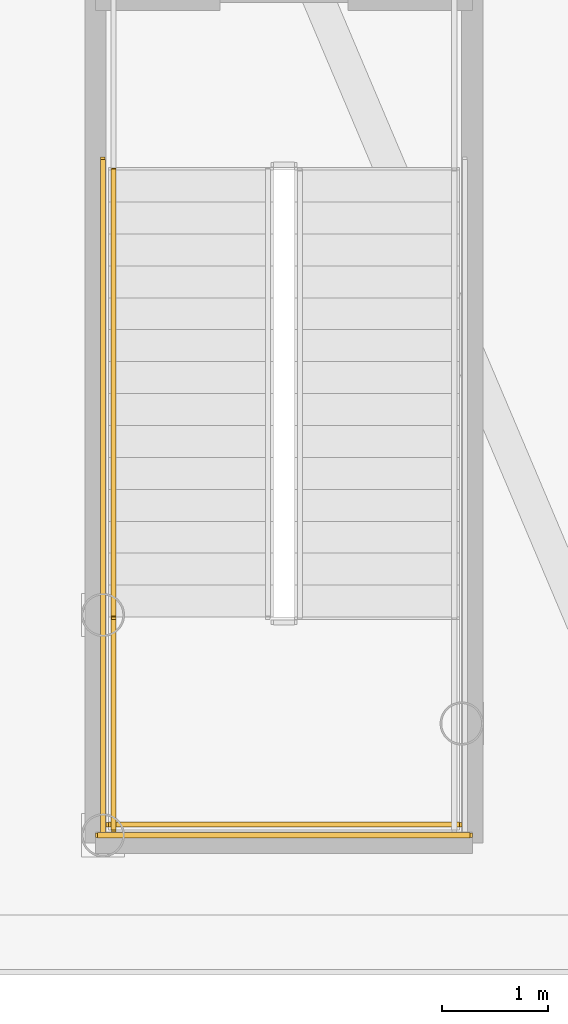
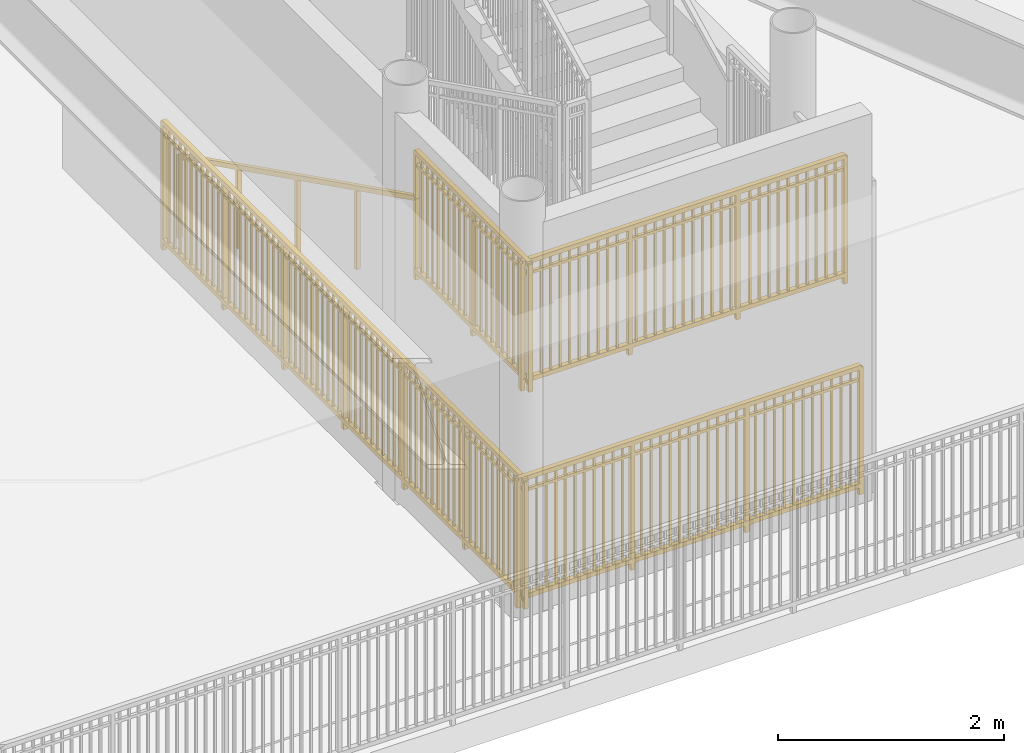
# One storey, part 13 of 21: 5 railings.
"""IFC4 building model written with IfcOpenShell, lengths in metres."""

from ifc_helpers import new_model, si_unit, direction, frame, origin, origin_2d, place, context, subcontext, project, spatial, rectangle, extrude, source, transform, mapped, material, type_object, element, save


model = new_model("IFC4")

# Units and contexts
model_context = context("Model", 3, precision=1e-05, world=origin(), true_north=direction((0.0, 1.0)))
body_context = subcontext(model_context, "Body", "Model", "MODEL_VIEW")
ifc_project = project(units=[si_unit("LENGTHUNIT", "METRE"), si_unit("AREAUNIT", "SQUARE_METRE"), si_unit("VOLUMEUNIT", "CUBIC_METRE"), si_unit("PLANEANGLEUNIT", "RADIAN"), si_unit("MASSUNIT", "GRAM", prefix="KILO")], contexts=[model_context])

# Site, building, storey
site_placement = place(None, origin())
site = spatial("IfcSite", under=ifc_project, at=site_placement, CompositionType="ELEMENT")
building_placement = place(site_placement, origin())
building = spatial("IfcBuilding", under=site, at=building_placement, Name="Linh Dai School and Residence Tower", CompositionType="ELEMENT")
storey_placement = place(building_placement, frame((0.0, 0.0, -4.5)))
storey = spatial("IfcBuildingStorey", under=building, at=storey_placement, Name="B01", CompositionType="ELEMENT", Elevation=-4.5)

# Railings
ifc_material_1 = material(Name="Brushed Stainless Steel Handrail", Category="steel")
railing_type_1 = type_object("IfcRailingType", Name="RL-ST-HANDRAIL-900", PredefinedType="HANDRAIL", material=ifc_material_1)
shared_shape_1 = source(origin(), body_context, "Body", "SweptSolid", [
    extrude(rectangle(XDim=0.048095703125, YDim=0.048095703125, at=origin_2d()), frame((0.0, 0.0, 0.8759765625), z_axis=(0.0, -0.894416792377, 0.447234392142), x_axis=(1.0, 0.0, 0.0)), (0.0, 0.0, 1.0), 4.69580078125),
    extrude(rectangle(XDim=0.0419921875, YDim=0.0419921875, at=origin_2d()), origin(), (0.0, 0.0, 1.0), 0.8759765625),
    extrude(rectangle(XDim=0.0419921875, YDim=0.0419921875, at=origin_2d()), frame((0.0, -1.050048828125, 0.52490234375)), (0.0, 0.0, 1.0), 0.8759765625),
    extrude(rectangle(XDim=0.0419921875, YDim=0.0419921875, at=origin_2d()), frame((0.0, -2.10009765625, 1.050048828125)), (0.0, 0.0, 1.0), 0.8759765625),
    extrude(rectangle(XDim=0.0419921875, YDim=0.0419921875, at=origin_2d()), frame((0.0, -3.14990234375, 1.5751953125)), (0.0, 0.0, 1.0), 0.8759765625),
    extrude(rectangle(XDim=0.0419921875, YDim=0.0419921875, at=origin_2d()), frame((0.0, -4.199951171875, 2.10009765625)), (0.0, 0.0, 1.0), 0.8759765625),
])
railing_1_placement = place(storey_placement, frame((38.050048828125, 16.0, 0.14990234375)))
element("IfcRailing", 1, at=railing_1_placement, inside=storey, type_object=railing_type_1, Name="B01 STB1 stair handrail 1", PredefinedType="HANDRAIL", context=body_context, shape_type="MappedRepresentation", body=[
    mapped(shared_shape_1, transform((0.0, 0.0, 0.0), x_axis=(1.0, 0.0, 0.0), y_axis=(0.0, 1.0, 0.0), z_axis=(0.0, 0.0, 1.0), scale=1.0)),
])
ifc_material_2 = material(Name="Structural Steel S355JR", Category="steel")
railing_type_2 = type_object("IfcRailingType", Name="RL-ST-GUARD-1400", PredefinedType="GUARDRAIL", material=ifc_material_2)
shared_shape_2 = source(origin(), body_context, "Body", "SweptSolid", [
    extrude(rectangle(XDim=0.048095703125, YDim=0.048095703125, at=origin_2d()), frame((0.0, 0.0, 1.3759765625), z_axis=(1.0, 0.0, 0.0), x_axis=(0.0, 1.0, 0.0)), (0.0, 0.0, 1.0), 3.300048828125),
    extrude(rectangle(XDim=0.048095703125, YDim=0.048095703125, at=origin_2d()), frame((0.0, 0.0, 0.10009765625), z_axis=(1.0, 0.0, 0.0), x_axis=(0.0, 1.0, 0.0)), (0.0, 0.0, 1.0), 3.300048828125),
    extrude(rectangle(XDim=0.030029296875, YDim=0.030029296875, at=origin_2d()), frame((0.0, 0.0, 1.239990234375), z_axis=(1.0, 0.0, 0.0), x_axis=(0.0, 1.0, 0.0)), (0.0, 0.0, 1.0), 3.300048828125),
    extrude(rectangle(XDim=0.02001953125, YDim=0.02001953125, at=origin_2d()), frame((0.09716796875, 0.0, 0.10009765625)), (0.0, 0.0, 1.0), 1.251708984375),
    extrude(rectangle(XDim=0.02001953125, YDim=0.02001953125, at=origin_2d()), frame((0.194091796875, 0.0, 0.10009765625)), (0.0, 0.0, 1.0), 1.251708984375),
    extrude(rectangle(XDim=0.02001953125, YDim=0.02001953125, at=origin_2d()), frame((0.291259765625, 0.0, 0.10009765625)), (0.0, 0.0, 1.0), 1.251708984375),
    extrude(rectangle(XDim=0.02001953125, YDim=0.02001953125, at=origin_2d()), frame((0.38818359375, 0.0, 0.10009765625)), (0.0, 0.0, 1.0), 1.251708984375),
    extrude(rectangle(XDim=0.02001953125, YDim=0.02001953125, at=origin_2d()), frame((0.4853515625, 0.0, 0.10009765625)), (0.0, 0.0, 1.0), 1.251708984375),
    extrude(rectangle(XDim=0.02001953125, YDim=0.02001953125, at=origin_2d()), frame((0.582275390625, 0.0, 0.10009765625)), (0.0, 0.0, 1.0), 1.251708984375),
    extrude(rectangle(XDim=0.02001953125, YDim=0.02001953125, at=origin_2d()), frame((0.679443359375, 0.0, 0.10009765625)), (0.0, 0.0, 1.0), 1.251708984375),
    extrude(rectangle(XDim=0.02001953125, YDim=0.02001953125, at=origin_2d()), frame((0.7763671875, 0.0, 0.10009765625)), (0.0, 0.0, 1.0), 1.251708984375),
    extrude(rectangle(XDim=0.02001953125, YDim=0.02001953125, at=origin_2d()), frame((0.87353515625, 0.0, 0.10009765625)), (0.0, 0.0, 1.0), 1.251708984375),
    extrude(rectangle(XDim=0.02001953125, YDim=0.02001953125, at=origin_2d()), frame((0.970703125, 0.0, 0.10009765625)), (0.0, 0.0, 1.0), 1.251708984375),
    extrude(rectangle(XDim=0.02001953125, YDim=0.02001953125, at=origin_2d()), frame((1.164794921875, 0.0, 0.10009765625)), (0.0, 0.0, 1.0), 1.251708984375),
    extrude(rectangle(XDim=0.02001953125, YDim=0.02001953125, at=origin_2d()), frame((1.26171875, 0.0, 0.10009765625)), (0.0, 0.0, 1.0), 1.251708984375),
    extrude(rectangle(XDim=0.02001953125, YDim=0.02001953125, at=origin_2d()), frame((1.35888671875, 0.0, 0.10009765625)), (0.0, 0.0, 1.0), 1.251708984375),
    extrude(rectangle(XDim=0.02001953125, YDim=0.02001953125, at=origin_2d()), frame((1.455810546875, 0.0, 0.10009765625)), (0.0, 0.0, 1.0), 1.251708984375),
    extrude(rectangle(XDim=0.02001953125, YDim=0.02001953125, at=origin_2d()), frame((1.552978515625, 0.0, 0.10009765625)), (0.0, 0.0, 1.0), 1.251708984375),
    extrude(rectangle(XDim=0.02001953125, YDim=0.02001953125, at=origin_2d()), frame((1.64990234375, 0.0, 0.10009765625)), (0.0, 0.0, 1.0), 1.251708984375),
    extrude(rectangle(XDim=0.02001953125, YDim=0.02001953125, at=origin_2d()), frame((1.7470703125, 0.0, 0.10009765625)), (0.0, 0.0, 1.0), 1.251708984375),
    extrude(rectangle(XDim=0.02001953125, YDim=0.02001953125, at=origin_2d()), frame((1.84423828125, 0.0, 0.10009765625)), (0.0, 0.0, 1.0), 1.251708984375),
    extrude(rectangle(XDim=0.02001953125, YDim=0.02001953125, at=origin_2d()), frame((1.941162109375, 0.0, 0.10009765625)), (0.0, 0.0, 1.0), 1.251708984375),
    extrude(rectangle(XDim=0.02001953125, YDim=0.02001953125, at=origin_2d()), frame((2.038330078125, 0.0, 0.10009765625)), (0.0, 0.0, 1.0), 1.251708984375),
    extrude(rectangle(XDim=0.02001953125, YDim=0.02001953125, at=origin_2d()), frame((2.13525390625, 0.0, 0.10009765625)), (0.0, 0.0, 1.0), 1.251708984375),
    extrude(rectangle(XDim=0.02001953125, YDim=0.02001953125, at=origin_2d()), frame((2.329345703125, 0.0, 0.10009765625)), (0.0, 0.0, 1.0), 1.251708984375),
    extrude(rectangle(XDim=0.02001953125, YDim=0.02001953125, at=origin_2d()), frame((2.426513671875, 0.0, 0.10009765625)), (0.0, 0.0, 1.0), 1.251708984375),
    extrude(rectangle(XDim=0.02001953125, YDim=0.02001953125, at=origin_2d()), frame((2.523681640625, 0.0, 0.10009765625)), (0.0, 0.0, 1.0), 1.251708984375),
    extrude(rectangle(XDim=0.02001953125, YDim=0.02001953125, at=origin_2d()), frame((2.62060546875, 0.0, 0.10009765625)), (0.0, 0.0, 1.0), 1.251708984375),
    extrude(rectangle(XDim=0.02001953125, YDim=0.02001953125, at=origin_2d()), frame((2.7177734375, 0.0, 0.10009765625)), (0.0, 0.0, 1.0), 1.251708984375),
    extrude(rectangle(XDim=0.02001953125, YDim=0.02001953125, at=origin_2d()), frame((2.814697265625, 0.0, 0.10009765625)), (0.0, 0.0, 1.0), 1.251708984375),
    extrude(rectangle(XDim=0.02001953125, YDim=0.02001953125, at=origin_2d()), frame((2.911865234375, 0.0, 0.10009765625)), (0.0, 0.0, 1.0), 1.251708984375),
    extrude(rectangle(XDim=0.02001953125, YDim=0.02001953125, at=origin_2d()), frame((3.0087890625, 0.0, 0.10009765625)), (0.0, 0.0, 1.0), 1.251708984375),
    extrude(rectangle(XDim=0.02001953125, YDim=0.02001953125, at=origin_2d()), frame((3.10595703125, 0.0, 0.10009765625)), (0.0, 0.0, 1.0), 1.251708984375),
    extrude(rectangle(XDim=0.02001953125, YDim=0.02001953125, at=origin_2d()), frame((3.202880859375, 0.0, 0.10009765625)), (0.0, 0.0, 1.0), 1.251708984375),
    extrude(rectangle(XDim=0.0419921875, YDim=0.0419921875, at=origin_2d()), origin(), (0.0, 0.0, 1.0), 1.3759765625),
    extrude(rectangle(XDim=0.0419921875, YDim=0.0419921875, at=origin_2d()), frame((1.10009765625, 0.0, 0.0)), (0.0, 0.0, 1.0), 1.3759765625),
    extrude(rectangle(XDim=0.0419921875, YDim=0.0419921875, at=origin_2d()), frame((2.199951171875, 0.0, 0.0)), (0.0, 0.0, 1.0), 1.3759765625),
    extrude(rectangle(XDim=0.0419921875, YDim=0.0419921875, at=origin_2d()), frame((3.300048828125, 0.0, 0.0)), (0.0, 0.0, 1.0), 1.3759765625),
])
railing_2_placement = place(storey_placement, frame((38.0, 9.85009765625, 2.25)))
element("IfcRailing", 2, at=railing_2_placement, inside=storey, type_object=railing_type_2, Name="B01 STB1 stair guard 5", PredefinedType="GUARDRAIL", context=body_context, shape_type="MappedRepresentation", body=[
    mapped(shared_shape_2, transform((0.0, 0.0, 0.0), x_axis=(1.0, 0.0, 0.0), y_axis=(0.0, 1.0, 0.0), z_axis=(0.0, 0.0, 1.0), scale=1.0)),
])
shared_shape_3 = source(origin(), body_context, "Body", "SweptSolid", [
    extrude(rectangle(XDim=0.048095703125, YDim=0.048095703125, at=origin_2d()), frame((0.0, 0.0, 1.3759765625), z_axis=(1.0, 0.0, 0.0), x_axis=(0.0, 1.0, 0.0)), (0.0, 0.0, 1.0), 3.5),
    extrude(rectangle(XDim=0.048095703125, YDim=0.048095703125, at=origin_2d()), frame((0.0, 0.0, 0.10009765625), z_axis=(1.0, 0.0, 0.0), x_axis=(0.0, 1.0, 0.0)), (0.0, 0.0, 1.0), 3.5),
    extrude(rectangle(XDim=0.030029296875, YDim=0.030029296875, at=origin_2d()), frame((0.0, 0.0, 1.239990234375), z_axis=(1.0, 0.0, 0.0), x_axis=(0.0, 1.0, 0.0)), (0.0, 0.0, 1.0), 3.5),
    extrude(rectangle(XDim=0.02001953125, YDim=0.02001953125, at=origin_2d()), frame((0.09716796875, 0.0, 0.10009765625)), (0.0, 0.0, 1.0), 1.251708984375),
    extrude(rectangle(XDim=0.02001953125, YDim=0.02001953125, at=origin_2d()), frame((0.1943359375, 0.0, 0.10009765625)), (0.0, 0.0, 1.0), 1.251708984375),
    extrude(rectangle(XDim=0.02001953125, YDim=0.02001953125, at=origin_2d()), frame((0.291748046875, 0.0, 0.10009765625)), (0.0, 0.0, 1.0), 1.251708984375),
    extrude(rectangle(XDim=0.02001953125, YDim=0.02001953125, at=origin_2d()), frame((0.388916015625, 0.0, 0.10009765625)), (0.0, 0.0, 1.0), 1.251708984375),
    extrude(rectangle(XDim=0.02001953125, YDim=0.02001953125, at=origin_2d()), frame((0.486083984375, 0.0, 0.10009765625)), (0.0, 0.0, 1.0), 1.251708984375),
    extrude(rectangle(XDim=0.02001953125, YDim=0.02001953125, at=origin_2d()), frame((0.583251953125, 0.0, 0.10009765625)), (0.0, 0.0, 1.0), 1.251708984375),
    extrude(rectangle(XDim=0.02001953125, YDim=0.02001953125, at=origin_2d()), frame((0.6806640625, 0.0, 0.10009765625)), (0.0, 0.0, 1.0), 1.251708984375),
    extrude(rectangle(XDim=0.02001953125, YDim=0.02001953125, at=origin_2d()), frame((0.77783203125, 0.0, 0.10009765625)), (0.0, 0.0, 1.0), 1.251708984375),
    extrude(rectangle(XDim=0.02001953125, YDim=0.02001953125, at=origin_2d()), frame((0.875, 0.0, 0.10009765625)), (0.0, 0.0, 1.0), 1.251708984375),
    extrude(rectangle(XDim=0.02001953125, YDim=0.02001953125, at=origin_2d()), frame((0.97216796875, 0.0, 0.10009765625)), (0.0, 0.0, 1.0), 1.251708984375),
    extrude(rectangle(XDim=0.02001953125, YDim=0.02001953125, at=origin_2d()), frame((1.0693359375, 0.0, 0.10009765625)), (0.0, 0.0, 1.0), 1.251708984375),
    extrude(rectangle(XDim=0.02001953125, YDim=0.02001953125, at=origin_2d()), frame((1.263916015625, 0.0, 0.10009765625)), (0.0, 0.0, 1.0), 1.251708984375),
    extrude(rectangle(XDim=0.02001953125, YDim=0.02001953125, at=origin_2d()), frame((1.361083984375, 0.0, 0.10009765625)), (0.0, 0.0, 1.0), 1.251708984375),
    extrude(rectangle(XDim=0.02001953125, YDim=0.02001953125, at=origin_2d()), frame((1.458251953125, 0.0, 0.10009765625)), (0.0, 0.0, 1.0), 1.251708984375),
    extrude(rectangle(XDim=0.02001953125, YDim=0.02001953125, at=origin_2d()), frame((1.5556640625, 0.0, 0.10009765625)), (0.0, 0.0, 1.0), 1.251708984375),
    extrude(rectangle(XDim=0.02001953125, YDim=0.02001953125, at=origin_2d()), frame((1.65283203125, 0.0, 0.10009765625)), (0.0, 0.0, 1.0), 1.251708984375),
    extrude(rectangle(XDim=0.02001953125, YDim=0.02001953125, at=origin_2d()), frame((1.75, 0.0, 0.10009765625)), (0.0, 0.0, 1.0), 1.251708984375),
    extrude(rectangle(XDim=0.02001953125, YDim=0.02001953125, at=origin_2d()), frame((1.84716796875, 0.0, 0.10009765625)), (0.0, 0.0, 1.0), 1.251708984375),
    extrude(rectangle(XDim=0.02001953125, YDim=0.02001953125, at=origin_2d()), frame((1.9443359375, 0.0, 0.10009765625)), (0.0, 0.0, 1.0), 1.251708984375),
    extrude(rectangle(XDim=0.02001953125, YDim=0.02001953125, at=origin_2d()), frame((2.041748046875, 0.0, 0.10009765625)), (0.0, 0.0, 1.0), 1.251708984375),
    extrude(rectangle(XDim=0.02001953125, YDim=0.02001953125, at=origin_2d()), frame((2.138916015625, 0.0, 0.10009765625)), (0.0, 0.0, 1.0), 1.251708984375),
    extrude(rectangle(XDim=0.02001953125, YDim=0.02001953125, at=origin_2d()), frame((2.236083984375, 0.0, 0.10009765625)), (0.0, 0.0, 1.0), 1.251708984375),
    extrude(rectangle(XDim=0.02001953125, YDim=0.02001953125, at=origin_2d()), frame((2.4306640625, 0.0, 0.10009765625)), (0.0, 0.0, 1.0), 1.251708984375),
    extrude(rectangle(XDim=0.02001953125, YDim=0.02001953125, at=origin_2d()), frame((2.52783203125, 0.0, 0.10009765625)), (0.0, 0.0, 1.0), 1.251708984375),
    extrude(rectangle(XDim=0.02001953125, YDim=0.02001953125, at=origin_2d()), frame((2.625, 0.0, 0.10009765625)), (0.0, 0.0, 1.0), 1.251708984375),
    extrude(rectangle(XDim=0.02001953125, YDim=0.02001953125, at=origin_2d()), frame((2.72216796875, 0.0, 0.10009765625)), (0.0, 0.0, 1.0), 1.251708984375),
    extrude(rectangle(XDim=0.02001953125, YDim=0.02001953125, at=origin_2d()), frame((2.8193359375, 0.0, 0.10009765625)), (0.0, 0.0, 1.0), 1.251708984375),
    extrude(rectangle(XDim=0.02001953125, YDim=0.02001953125, at=origin_2d()), frame((2.916748046875, 0.0, 0.10009765625)), (0.0, 0.0, 1.0), 1.251708984375),
    extrude(rectangle(XDim=0.02001953125, YDim=0.02001953125, at=origin_2d()), frame((3.013916015625, 0.0, 0.10009765625)), (0.0, 0.0, 1.0), 1.251708984375),
    extrude(rectangle(XDim=0.02001953125, YDim=0.02001953125, at=origin_2d()), frame((3.111083984375, 0.0, 0.10009765625)), (0.0, 0.0, 1.0), 1.251708984375),
    extrude(rectangle(XDim=0.02001953125, YDim=0.02001953125, at=origin_2d()), frame((3.208251953125, 0.0, 0.10009765625)), (0.0, 0.0, 1.0), 1.251708984375),
    extrude(rectangle(XDim=0.02001953125, YDim=0.02001953125, at=origin_2d()), frame((3.3056640625, 0.0, 0.10009765625)), (0.0, 0.0, 1.0), 1.251708984375),
    extrude(rectangle(XDim=0.02001953125, YDim=0.02001953125, at=origin_2d()), frame((3.40283203125, 0.0, 0.10009765625)), (0.0, 0.0, 1.0), 1.251708984375),
    extrude(rectangle(XDim=0.0419921875, YDim=0.0419921875, at=origin_2d()), origin(), (0.0, 0.0, 1.0), 1.3759765625),
    extrude(rectangle(XDim=0.0419921875, YDim=0.0419921875, at=origin_2d()), frame((1.166748046875, 0.0, 0.0)), (0.0, 0.0, 1.0), 1.3759765625),
    extrude(rectangle(XDim=0.0419921875, YDim=0.0419921875, at=origin_2d()), frame((2.333251953125, 0.0, 0.0)), (0.0, 0.0, 1.0), 1.3759765625),
    extrude(rectangle(XDim=0.0419921875, YDim=0.0419921875, at=origin_2d()), frame((3.5, 0.0, 0.0)), (0.0, 0.0, 1.0), 1.3759765625),
])
railing_3_placement = place(storey_placement, frame((37.89990234375, 9.75, 0.0)))
element("IfcRailing", 3, at=railing_3_placement, inside=storey, type_object=railing_type_2, Name="B01 STB1 stair guard 12", PredefinedType="GUARDRAIL", context=body_context, shape_type="MappedRepresentation", body=[
    mapped(shared_shape_3, transform((0.0, 0.0, 0.0), x_axis=(1.0, 0.0, 0.0), y_axis=(0.0, 1.0, 0.0), z_axis=(0.0, 0.0, 1.0), scale=1.0)),
])
shared_shape_4 = source(origin(), body_context, "Body", "SweptSolid", [
    extrude(rectangle(XDim=0.048095703125, YDim=0.048095703125, at=origin_2d()), frame((0.0, 0.0, 1.3759765625), z_axis=(0.0, -1.0, 0.0), x_axis=(1.0, 0.0, 0.0)), (0.0, 0.0, 1.0), 2.0),
    extrude(rectangle(XDim=0.048095703125, YDim=0.048095703125, at=origin_2d()), frame((0.0, 0.0, 0.10009765625), z_axis=(0.0, -1.0, 0.0), x_axis=(1.0, 0.0, 0.0)), (0.0, 0.0, 1.0), 2.0),
    extrude(rectangle(XDim=0.030029296875, YDim=0.030029296875, at=origin_2d()), frame((0.0, 0.0, 1.239990234375), z_axis=(0.0, -1.0, 0.0), x_axis=(1.0, 0.0, 0.0)), (0.0, 0.0, 1.0), 2.0),
    extrude(rectangle(XDim=0.02001953125, YDim=0.02001953125, at=origin_2d()), frame((0.0, -0.09521484375, 0.10009765625)), (0.0, 0.0, 1.0), 1.251708984375),
    extrude(rectangle(XDim=0.02001953125, YDim=0.02001953125, at=origin_2d()), frame((0.0, -0.1904296875, 0.10009765625)), (0.0, 0.0, 1.0), 1.251708984375),
    extrude(rectangle(XDim=0.02001953125, YDim=0.02001953125, at=origin_2d()), frame((0.0, -0.28564453125, 0.10009765625)), (0.0, 0.0, 1.0), 1.251708984375),
    extrude(rectangle(XDim=0.02001953125, YDim=0.02001953125, at=origin_2d()), frame((0.0, -0.380859375, 0.10009765625)), (0.0, 0.0, 1.0), 1.251708984375),
    extrude(rectangle(XDim=0.02001953125, YDim=0.02001953125, at=origin_2d()), frame((0.0, -0.47607421875, 0.10009765625)), (0.0, 0.0, 1.0), 1.251708984375),
    extrude(rectangle(XDim=0.02001953125, YDim=0.02001953125, at=origin_2d()), frame((0.0, -0.571533203125, 0.10009765625)), (0.0, 0.0, 1.0), 1.251708984375),
    extrude(rectangle(XDim=0.02001953125, YDim=0.02001953125, at=origin_2d()), frame((0.0, -0.666748046875, 0.10009765625)), (0.0, 0.0, 1.0), 1.251708984375),
    extrude(rectangle(XDim=0.02001953125, YDim=0.02001953125, at=origin_2d()), frame((0.0, -0.761962890625, 0.10009765625)), (0.0, 0.0, 1.0), 1.251708984375),
    extrude(rectangle(XDim=0.02001953125, YDim=0.02001953125, at=origin_2d()), frame((0.0, -0.857177734375, 0.10009765625)), (0.0, 0.0, 1.0), 1.251708984375),
    extrude(rectangle(XDim=0.02001953125, YDim=0.02001953125, at=origin_2d()), frame((0.0, -0.952392578125, 0.10009765625)), (0.0, 0.0, 1.0), 1.251708984375),
    extrude(rectangle(XDim=0.02001953125, YDim=0.02001953125, at=origin_2d()), frame((0.0, -1.047607421875, 0.10009765625)), (0.0, 0.0, 1.0), 1.251708984375),
    extrude(rectangle(XDim=0.02001953125, YDim=0.02001953125, at=origin_2d()), frame((0.0, -1.142822265625, 0.10009765625)), (0.0, 0.0, 1.0), 1.251708984375),
    extrude(rectangle(XDim=0.02001953125, YDim=0.02001953125, at=origin_2d()), frame((0.0, -1.238037109375, 0.10009765625)), (0.0, 0.0, 1.0), 1.251708984375),
    extrude(rectangle(XDim=0.02001953125, YDim=0.02001953125, at=origin_2d()), frame((0.0, -1.333251953125, 0.10009765625)), (0.0, 0.0, 1.0), 1.251708984375),
    extrude(rectangle(XDim=0.02001953125, YDim=0.02001953125, at=origin_2d()), frame((0.0, -1.428466796875, 0.10009765625)), (0.0, 0.0, 1.0), 1.251708984375),
    extrude(rectangle(XDim=0.02001953125, YDim=0.02001953125, at=origin_2d()), frame((0.0, -1.52392578125, 0.10009765625)), (0.0, 0.0, 1.0), 1.251708984375),
    extrude(rectangle(XDim=0.02001953125, YDim=0.02001953125, at=origin_2d()), frame((0.0, -1.619140625, 0.10009765625)), (0.0, 0.0, 1.0), 1.251708984375),
    extrude(rectangle(XDim=0.02001953125, YDim=0.02001953125, at=origin_2d()), frame((0.0, -1.71435546875, 0.10009765625)), (0.0, 0.0, 1.0), 1.251708984375),
    extrude(rectangle(XDim=0.02001953125, YDim=0.02001953125, at=origin_2d()), frame((0.0, -1.8095703125, 0.10009765625)), (0.0, 0.0, 1.0), 1.251708984375),
    extrude(rectangle(XDim=0.02001953125, YDim=0.02001953125, at=origin_2d()), frame((0.0, -1.90478515625, 0.10009765625)), (0.0, 0.0, 1.0), 1.251708984375),
    extrude(rectangle(XDim=0.0419921875, YDim=0.0419921875, at=origin_2d()), origin(), (0.0, 0.0, 1.0), 1.3759765625),
    extrude(rectangle(XDim=0.0419921875, YDim=0.0419921875, at=origin_2d()), frame((0.0, -1.0, 0.0)), (0.0, 0.0, 1.0), 1.3759765625),
    extrude(rectangle(XDim=0.0419921875, YDim=0.0419921875, at=origin_2d()), frame((0.0, -2.0, 0.0)), (0.0, 0.0, 1.0), 1.3759765625),
])
railing_4_placement = place(storey_placement, frame((38.050048828125, 11.800048828125, 2.25)))
element("IfcRailing", 4, at=railing_4_placement, inside=storey, type_object=railing_type_2, Name="B01 STB1 stair guard 3", PredefinedType="GUARDRAIL", context=body_context, shape_type="MappedRepresentation", body=[
    mapped(shared_shape_4, transform((0.0, 0.0, 0.0), x_axis=(1.0, 0.0, 0.0), y_axis=(0.0, 1.0, 0.0), z_axis=(0.0, 0.0, 1.0), scale=1.0)),
])
shared_shape_5 = source(origin(), body_context, "Body", "SweptSolid", [
    extrude(rectangle(XDim=0.048095703125, YDim=0.048095703125, at=origin_2d()), frame((0.0, 0.0, 1.3759765625), z_axis=(0.0, -1.0, 0.0), x_axis=(1.0, 0.0, 0.0)), (0.0, 0.0, 1.0), 6.400146484375),
    extrude(rectangle(XDim=0.048095703125, YDim=0.048095703125, at=origin_2d()), frame((0.0, 0.0, 0.10009765625), z_axis=(0.0, -1.0, 0.0), x_axis=(1.0, 0.0, 0.0)), (0.0, 0.0, 1.0), 6.400146484375),
    extrude(rectangle(XDim=0.030029296875, YDim=0.030029296875, at=origin_2d()), frame((0.0, 0.0, 1.239990234375), z_axis=(0.0, -1.0, 0.0), x_axis=(1.0, 0.0, 0.0)), (0.0, 0.0, 1.0), 6.400146484375),
    extrude(rectangle(XDim=0.02001953125, YDim=0.02001953125, at=origin_2d()), frame((0.0, -0.096923828125, 0.10009765625)), (0.0, 0.0, 1.0), 1.251708984375),
    extrude(rectangle(XDim=0.02001953125, YDim=0.02001953125, at=origin_2d()), frame((0.0, -0.19384765625, 0.10009765625)), (0.0, 0.0, 1.0), 1.251708984375),
    extrude(rectangle(XDim=0.02001953125, YDim=0.02001953125, at=origin_2d()), frame((0.0, -0.291015625, 0.10009765625)), (0.0, 0.0, 1.0), 1.251708984375),
    extrude(rectangle(XDim=0.02001953125, YDim=0.02001953125, at=origin_2d()), frame((0.0, -0.387939453125, 0.10009765625)), (0.0, 0.0, 1.0), 1.251708984375),
    extrude(rectangle(XDim=0.02001953125, YDim=0.02001953125, at=origin_2d()), frame((0.0, -0.48486328125, 0.10009765625)), (0.0, 0.0, 1.0), 1.251708984375),
    extrude(rectangle(XDim=0.02001953125, YDim=0.02001953125, at=origin_2d()), frame((0.0, -0.581787109375, 0.10009765625)), (0.0, 0.0, 1.0), 1.251708984375),
    extrude(rectangle(XDim=0.02001953125, YDim=0.02001953125, at=origin_2d()), frame((0.0, -0.6787109375, 0.10009765625)), (0.0, 0.0, 1.0), 1.251708984375),
    extrude(rectangle(XDim=0.02001953125, YDim=0.02001953125, at=origin_2d()), frame((0.0, -0.77587890625, 0.10009765625)), (0.0, 0.0, 1.0), 1.251708984375),
    extrude(rectangle(XDim=0.02001953125, YDim=0.02001953125, at=origin_2d()), frame((0.0, -0.872802734375, 0.10009765625)), (0.0, 0.0, 1.0), 1.251708984375),
    extrude(rectangle(XDim=0.02001953125, YDim=0.02001953125, at=origin_2d()), frame((0.0, -0.9697265625, 0.10009765625)), (0.0, 0.0, 1.0), 1.251708984375),
    extrude(rectangle(XDim=0.02001953125, YDim=0.02001953125, at=origin_2d()), frame((0.0, -1.16357421875, 0.10009765625)), (0.0, 0.0, 1.0), 1.251708984375),
    extrude(rectangle(XDim=0.02001953125, YDim=0.02001953125, at=origin_2d()), frame((0.0, -1.2607421875, 0.10009765625)), (0.0, 0.0, 1.0), 1.251708984375),
    extrude(rectangle(XDim=0.02001953125, YDim=0.02001953125, at=origin_2d()), frame((0.0, -1.357666015625, 0.10009765625)), (0.0, 0.0, 1.0), 1.251708984375),
    extrude(rectangle(XDim=0.02001953125, YDim=0.02001953125, at=origin_2d()), frame((0.0, -1.45458984375, 0.10009765625)), (0.0, 0.0, 1.0), 1.251708984375),
    extrude(rectangle(XDim=0.02001953125, YDim=0.02001953125, at=origin_2d()), frame((0.0, -1.551513671875, 0.10009765625)), (0.0, 0.0, 1.0), 1.251708984375),
    extrude(rectangle(XDim=0.02001953125, YDim=0.02001953125, at=origin_2d()), frame((0.0, -1.6484375, 0.10009765625)), (0.0, 0.0, 1.0), 1.251708984375),
    extrude(rectangle(XDim=0.02001953125, YDim=0.02001953125, at=origin_2d()), frame((0.0, -1.74560546875, 0.10009765625)), (0.0, 0.0, 1.0), 1.251708984375),
    extrude(rectangle(XDim=0.02001953125, YDim=0.02001953125, at=origin_2d()), frame((0.0, -1.842529296875, 0.10009765625)), (0.0, 0.0, 1.0), 1.251708984375),
    extrude(rectangle(XDim=0.02001953125, YDim=0.02001953125, at=origin_2d()), frame((0.0, -1.939453125, 0.10009765625)), (0.0, 0.0, 1.0), 1.251708984375),
    extrude(rectangle(XDim=0.02001953125, YDim=0.02001953125, at=origin_2d()), frame((0.0, -2.036376953125, 0.10009765625)), (0.0, 0.0, 1.0), 1.251708984375),
    extrude(rectangle(XDim=0.02001953125, YDim=0.02001953125, at=origin_2d()), frame((0.0, -2.23046875, 0.10009765625)), (0.0, 0.0, 1.0), 1.251708984375),
    extrude(rectangle(XDim=0.02001953125, YDim=0.02001953125, at=origin_2d()), frame((0.0, -2.327392578125, 0.10009765625)), (0.0, 0.0, 1.0), 1.251708984375),
    extrude(rectangle(XDim=0.02001953125, YDim=0.02001953125, at=origin_2d()), frame((0.0, -2.42431640625, 0.10009765625)), (0.0, 0.0, 1.0), 1.251708984375),
    extrude(rectangle(XDim=0.02001953125, YDim=0.02001953125, at=origin_2d()), frame((0.0, -2.521240234375, 0.10009765625)), (0.0, 0.0, 1.0), 1.251708984375),
    extrude(rectangle(XDim=0.02001953125, YDim=0.02001953125, at=origin_2d()), frame((0.0, -2.6181640625, 0.10009765625)), (0.0, 0.0, 1.0), 1.251708984375),
    extrude(rectangle(XDim=0.02001953125, YDim=0.02001953125, at=origin_2d()), frame((0.0, -2.71533203125, 0.10009765625)), (0.0, 0.0, 1.0), 1.251708984375),
    extrude(rectangle(XDim=0.02001953125, YDim=0.02001953125, at=origin_2d()), frame((0.0, -2.812255859375, 0.10009765625)), (0.0, 0.0, 1.0), 1.251708984375),
    extrude(rectangle(XDim=0.02001953125, YDim=0.02001953125, at=origin_2d()), frame((0.0, -2.9091796875, 0.10009765625)), (0.0, 0.0, 1.0), 1.251708984375),
    extrude(rectangle(XDim=0.02001953125, YDim=0.02001953125, at=origin_2d()), frame((0.0, -3.006103515625, 0.10009765625)), (0.0, 0.0, 1.0), 1.251708984375),
    extrude(rectangle(XDim=0.02001953125, YDim=0.02001953125, at=origin_2d()), frame((0.0, -3.10302734375, 0.10009765625)), (0.0, 0.0, 1.0), 1.251708984375),
    extrude(rectangle(XDim=0.02001953125, YDim=0.02001953125, at=origin_2d()), frame((0.0, -3.297119140625, 0.10009765625)), (0.0, 0.0, 1.0), 1.251708984375),
    extrude(rectangle(XDim=0.02001953125, YDim=0.02001953125, at=origin_2d()), frame((0.0, -3.39404296875, 0.10009765625)), (0.0, 0.0, 1.0), 1.251708984375),
    extrude(rectangle(XDim=0.02001953125, YDim=0.02001953125, at=origin_2d()), frame((0.0, -3.490966796875, 0.10009765625)), (0.0, 0.0, 1.0), 1.251708984375),
    extrude(rectangle(XDim=0.02001953125, YDim=0.02001953125, at=origin_2d()), frame((0.0, -3.587890625, 0.10009765625)), (0.0, 0.0, 1.0), 1.251708984375),
    extrude(rectangle(XDim=0.02001953125, YDim=0.02001953125, at=origin_2d()), frame((0.0, -3.684814453125, 0.10009765625)), (0.0, 0.0, 1.0), 1.251708984375),
    extrude(rectangle(XDim=0.02001953125, YDim=0.02001953125, at=origin_2d()), frame((0.0, -3.781982421875, 0.10009765625)), (0.0, 0.0, 1.0), 1.251708984375),
    extrude(rectangle(XDim=0.02001953125, YDim=0.02001953125, at=origin_2d()), frame((0.0, -3.87890625, 0.10009765625)), (0.0, 0.0, 1.0), 1.251708984375),
    extrude(rectangle(XDim=0.02001953125, YDim=0.02001953125, at=origin_2d()), frame((0.0, -3.975830078125, 0.10009765625)), (0.0, 0.0, 1.0), 1.251708984375),
    extrude(rectangle(XDim=0.02001953125, YDim=0.02001953125, at=origin_2d()), frame((0.0, -4.07275390625, 0.10009765625)), (0.0, 0.0, 1.0), 1.251708984375),
    extrude(rectangle(XDim=0.02001953125, YDim=0.02001953125, at=origin_2d()), frame((0.0, -4.169677734375, 0.10009765625)), (0.0, 0.0, 1.0), 1.251708984375),
    extrude(rectangle(XDim=0.02001953125, YDim=0.02001953125, at=origin_2d()), frame((0.0, -4.36376953125, 0.10009765625)), (0.0, 0.0, 1.0), 1.251708984375),
    extrude(rectangle(XDim=0.02001953125, YDim=0.02001953125, at=origin_2d()), frame((0.0, -4.460693359375, 0.10009765625)), (0.0, 0.0, 1.0), 1.251708984375),
    extrude(rectangle(XDim=0.02001953125, YDim=0.02001953125, at=origin_2d()), frame((0.0, -4.5576171875, 0.10009765625)), (0.0, 0.0, 1.0), 1.251708984375),
    extrude(rectangle(XDim=0.02001953125, YDim=0.02001953125, at=origin_2d()), frame((0.0, -4.654541015625, 0.10009765625)), (0.0, 0.0, 1.0), 1.251708984375),
    extrude(rectangle(XDim=0.02001953125, YDim=0.02001953125, at=origin_2d()), frame((0.0, -4.751708984375, 0.10009765625)), (0.0, 0.0, 1.0), 1.251708984375),
    extrude(rectangle(XDim=0.02001953125, YDim=0.02001953125, at=origin_2d()), frame((0.0, -4.8486328125, 0.10009765625)), (0.0, 0.0, 1.0), 1.251708984375),
    extrude(rectangle(XDim=0.02001953125, YDim=0.02001953125, at=origin_2d()), frame((0.0, -4.945556640625, 0.10009765625)), (0.0, 0.0, 1.0), 1.251708984375),
    extrude(rectangle(XDim=0.02001953125, YDim=0.02001953125, at=origin_2d()), frame((0.0, -5.04248046875, 0.10009765625)), (0.0, 0.0, 1.0), 1.251708984375),
    extrude(rectangle(XDim=0.02001953125, YDim=0.02001953125, at=origin_2d()), frame((0.0, -5.139404296875, 0.10009765625)), (0.0, 0.0, 1.0), 1.251708984375),
    extrude(rectangle(XDim=0.02001953125, YDim=0.02001953125, at=origin_2d()), frame((0.0, -5.236572265625, 0.10009765625)), (0.0, 0.0, 1.0), 1.251708984375),
    extrude(rectangle(XDim=0.02001953125, YDim=0.02001953125, at=origin_2d()), frame((0.0, -5.430419921875, 0.10009765625)), (0.0, 0.0, 1.0), 1.251708984375),
    extrude(rectangle(XDim=0.02001953125, YDim=0.02001953125, at=origin_2d()), frame((0.0, -5.52734375, 0.10009765625)), (0.0, 0.0, 1.0), 1.251708984375),
    extrude(rectangle(XDim=0.02001953125, YDim=0.02001953125, at=origin_2d()), frame((0.0, -5.624267578125, 0.10009765625)), (0.0, 0.0, 1.0), 1.251708984375),
    extrude(rectangle(XDim=0.02001953125, YDim=0.02001953125, at=origin_2d()), frame((0.0, -5.721435546875, 0.10009765625)), (0.0, 0.0, 1.0), 1.251708984375),
    extrude(rectangle(XDim=0.02001953125, YDim=0.02001953125, at=origin_2d()), frame((0.0, -5.818359375, 0.10009765625)), (0.0, 0.0, 1.0), 1.251708984375),
    extrude(rectangle(XDim=0.02001953125, YDim=0.02001953125, at=origin_2d()), frame((0.0, -5.915283203125, 0.10009765625)), (0.0, 0.0, 1.0), 1.251708984375),
    extrude(rectangle(XDim=0.02001953125, YDim=0.02001953125, at=origin_2d()), frame((0.0, -6.01220703125, 0.10009765625)), (0.0, 0.0, 1.0), 1.251708984375),
    extrude(rectangle(XDim=0.02001953125, YDim=0.02001953125, at=origin_2d()), frame((0.0, -6.109130859375, 0.10009765625)), (0.0, 0.0, 1.0), 1.251708984375),
    extrude(rectangle(XDim=0.02001953125, YDim=0.02001953125, at=origin_2d()), frame((0.0, -6.206298828125, 0.10009765625)), (0.0, 0.0, 1.0), 1.251708984375),
    extrude(rectangle(XDim=0.02001953125, YDim=0.02001953125, at=origin_2d()), frame((0.0, -6.30322265625, 0.10009765625)), (0.0, 0.0, 1.0), 1.251708984375),
    extrude(rectangle(XDim=0.0419921875, YDim=0.0419921875, at=origin_2d()), origin(), (0.0, 0.0, 1.0), 1.3759765625),
    extrude(rectangle(XDim=0.0419921875, YDim=0.0419921875, at=origin_2d()), frame((0.0, -1.066650390625, 0.0)), (0.0, 0.0, 1.0), 1.3759765625),
    extrude(rectangle(XDim=0.0419921875, YDim=0.0419921875, at=origin_2d()), frame((0.0, -2.13330078125, 0.0)), (0.0, 0.0, 1.0), 1.3759765625),
    extrude(rectangle(XDim=0.0419921875, YDim=0.0419921875, at=origin_2d()), frame((0.0, -3.2001953125, 0.0)), (0.0, 0.0, 1.0), 1.3759765625),
    extrude(rectangle(XDim=0.0419921875, YDim=0.0419921875, at=origin_2d()), frame((0.0, -4.266845703125, 0.0)), (0.0, 0.0, 1.0), 1.3759765625),
    extrude(rectangle(XDim=0.0419921875, YDim=0.0419921875, at=origin_2d()), frame((0.0, -5.33349609375, 0.0)), (0.0, 0.0, 1.0), 1.3759765625),
    extrude(rectangle(XDim=0.0419921875, YDim=0.0419921875, at=origin_2d()), frame((0.0, -6.400146484375, 0.0)), (0.0, 0.0, 1.0), 1.3759765625),
])
railing_5_placement = place(storey_placement, frame((37.949951171875, 16.10009765625, 0.0)))
element("IfcRailing", 5, at=railing_5_placement, inside=storey, type_object=railing_type_2, Name="B01 STB1 stair guard 10", PredefinedType="GUARDRAIL", context=body_context, shape_type="MappedRepresentation", body=[
    mapped(shared_shape_5, transform((0.0, 0.0, 0.0), x_axis=(1.0, 0.0, 0.0), y_axis=(0.0, 1.0, 0.0), z_axis=(0.0, 0.0, 1.0), scale=1.0)),
])

save(model, "model.ifc")
